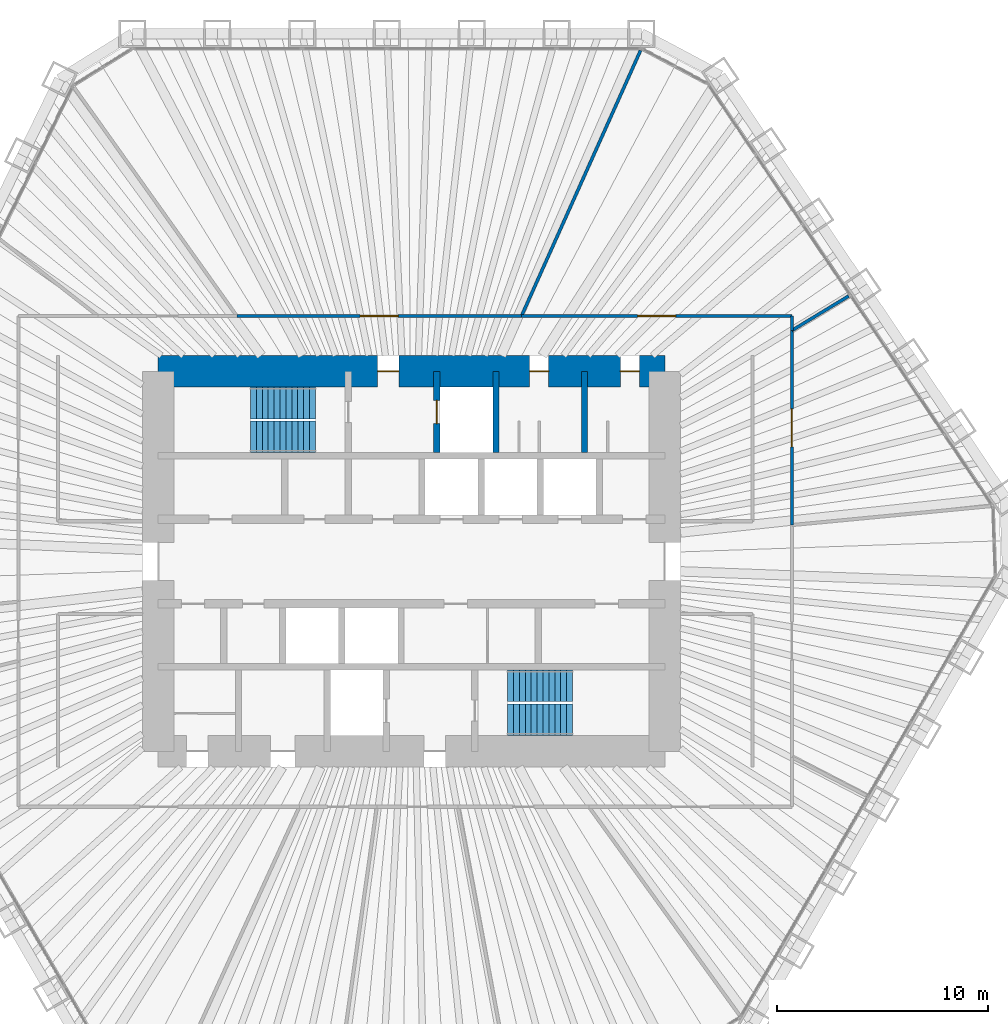
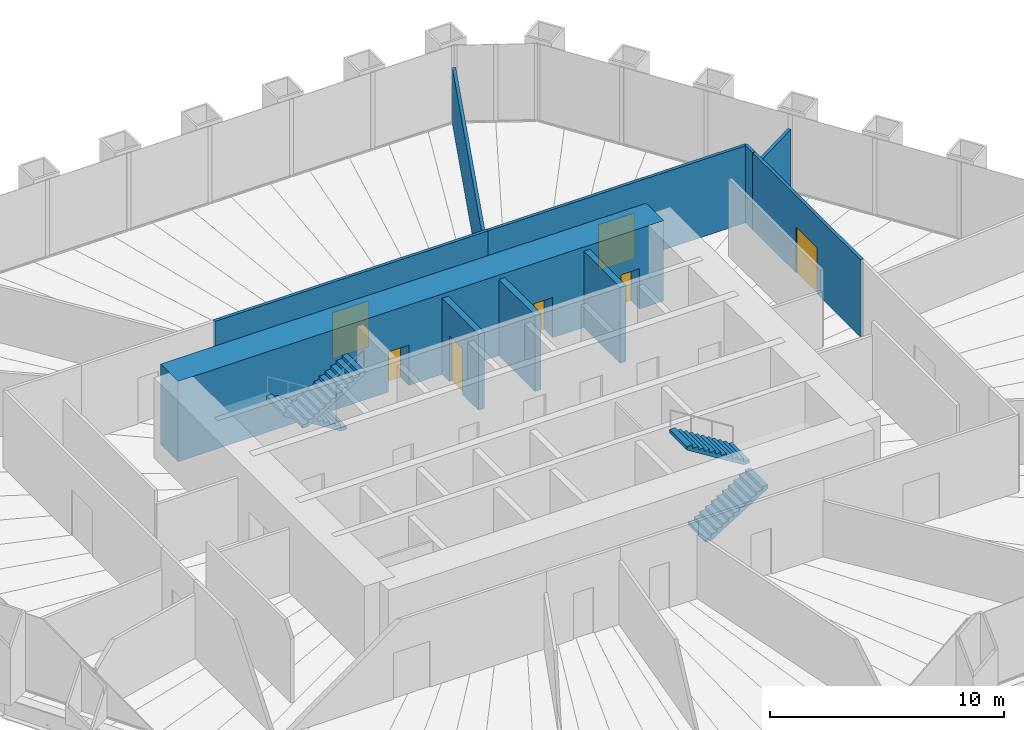
# One storey, part 12 of 13: 10 walls, 7 doors, 4 stair flights, 7 openings, 2 elements without a shape of their own.
"""IFC4 building model written with IfcOpenShell, lengths in metres."""

from ifc_helpers import new_model, si_unit, direction, frame, frame_2d, origin, place, context, subcontext, project, spatial, polyline, rectangle, outline, extrude, material, layer, layer_set, type_object, element, fill, aggregate, save


model = new_model("IFC4")

# Units and contexts
model_context = context("Model", 3, precision=1e-05, world=origin(), true_north=direction((0.0, 1.0)))
body_context = subcontext(model_context, "Body", "Model", "MODEL_VIEW")
ifc_project = project(units=[si_unit("LENGTHUNIT", "METRE"), si_unit("AREAUNIT", "SQUARE_METRE"), si_unit("VOLUMEUNIT", "CUBIC_METRE"), si_unit("PLANEANGLEUNIT", "RADIAN"), si_unit("MASSUNIT", "GRAM", prefix="KILO")], contexts=[model_context])

# Site, building, storey
site_placement = place(None, origin())
site = spatial("IfcSite", under=ifc_project, at=site_placement, CompositionType="ELEMENT")
building_placement = place(site_placement, origin())
building = spatial("IfcBuilding", under=site, at=building_placement, Name="Qingtian Harvest Tower", CompositionType="ELEMENT")
storey_placement = place(building_placement, frame((0.0, 0.0, 119.800048828125)))
storey = spatial("IfcBuildingStorey", under=building, at=storey_placement, Name="L24", CompositionType="ELEMENT", Elevation=119.800048828125)

# Wall, opening, door
ifc_material_1 = material(Name="Precast concrete shaft panel", Category="concrete")
ifc_layer_1 = layer(ifc_material_1, 0.300048828125)
ifc_layer_set_1 = layer_set([ifc_layer_1], Name="Core shaft partition SW1 300")
wall_type_1 = type_object("IfcWallType", Name="Core shaft partition SW1 300", PredefinedType="PARTITIONING", material=ifc_layer_set_1)
wall_1_placement = place(storey_placement, frame((1.199951171875, 5.14990234375, 0.0), z_axis=(0.0, 0.0, 1.0), x_axis=(0.0, 1.0, 0.0)))
wall_1 = element("IfcWall", 1, at=wall_1_placement, inside=storey, type_object=wall_type_1, Name="Core shaft partition XN2 L24", PredefinedType="PARTITIONING", context=body_context, shape_type="SweptSolid", body=[
    extrude(rectangle(XDim=3.85009765625, YDim=0.300048828125, at=frame_2d((1.925048828125, 0.0))), origin(), (0.0, 0.0, 1.0), 3.97998046875),
])
opening_1_placement = place(wall_1_placement, frame((1.375, 0.0, 0.0)))
opening_1 = element("IfcOpeningElement", 2, at=opening_1_placement, cuts=wall_1, Name="Opening LD1", PredefinedType="OPENING", context=body_context, shape_type="SweptSolid", body=[
    extrude(rectangle(XDim=1.10009765625, YDim=2.39990234375, at=frame_2d((0.550048828125, 1.199951171875))), frame((0.0, 0.159912109375, 0.0), z_axis=(0.0, -1.0, 0.0), x_axis=(1.0, 0.0, 0.0)), (0.0, 0.0, 1.0), 0.320068359375),
])
ifc_material_2 = material(Name="Stainless steel lift landing door", Category="steel")
door_type_1 = type_object("IfcDoorType", Name="Lift landing door LD1 1 HR", OperationType="DOUBLE_DOOR_SLIDING", PredefinedType="DOOR", material=ifc_material_2)
door_1_placement = place(opening_1_placement, origin())
door_1 = element("IfcDoor", 3, at=door_1_placement, inside=storey, type_object=door_type_1, Name="FL1 landing door L24", OperationType="DOUBLE_DOOR_SLIDING", OverallHeight=2.39990234375, OverallWidth=1.10009765625, PredefinedType="DOOR", context=body_context, shape_type="SweptSolid", body=[
    extrude(rectangle(XDim=1.10009765625, YDim=2.39990234375, at=frame_2d((0.550048828125, 1.199951171875))), frame((0.0, 0.02490234375, 0.0), z_axis=(0.0, -1.0, 0.0), x_axis=(1.0, 0.0, 0.0)), (0.0, 0.0, 1.0), 0.050048828125),
])
fill(opening_1, door_1)

# Walls
for number, where, z_axis, x_axis, name in (
    (4, (4.0, 5.14990234375, 0.0), (0.0, 0.0, 1.0), (0.0, 1.0, 0.0), "Core shaft partition XN3 L24"),
    (5, (8.199951171875, 5.14990234375, 0.0), (0.0, 0.0, 1.0), (0.0, 1.0, 0.0), "Core shaft partition XN4 L24"),
):
    element("IfcWall", number, at=place(storey_placement, frame(where, z_axis=z_axis, x_axis=x_axis)), inside=storey, type_object=wall_type_1, Name=name, PredefinedType="PARTITIONING", context=body_context, shape_type="SweptSolid", body=[
        extrude(rectangle(XDim=3.85009765625, YDim=0.300048828125, at=frame_2d((1.925048828125, 0.0))), origin(), (0.0, 0.0, 1.0), 3.97998046875),
    ])

# Wall, openings, doors
ifc_material_3 = material(Name="Concrete fc' 70 MPa", Category="concrete")
ifc_layer_2 = layer(ifc_material_3, 1.5)
ifc_layer_set_2 = layer_set([ifc_layer_2], Name="Core wall RC1 1500")
wall_type_2 = type_object("IfcWallType", Name="Core wall RC1 1500", PredefinedType="SHEAR", material=ifc_layer_set_2)
wall_2_placement = place(storey_placement, frame((-12.0, 9.0, 0.0), z_axis=(0.0, 0.0, 1.0), x_axis=(1.0, 0.0, 0.0)))
wall_2 = element("IfcWall", 6, at=wall_2_placement, inside=storey, type_object=wall_type_2, Name="Core wall CN L24", PredefinedType="SHEAR", context=body_context, shape_type="SweptSolid", body=[
    extrude(rectangle(XDim=24.0, YDim=1.5, at=frame_2d((12.0, 0.0))), origin(), (0.0, 0.0, 1.0), 4.199951171875),
])
opening_2_placement = place(wall_2_placement, frame((10.39990234375, 0.0, 0.0)))
opening_2 = element("IfcOpeningElement", 7, at=opening_2_placement, cuts=wall_2, Name="Opening FD1", PredefinedType="OPENING", context=body_context, shape_type="SweptSolid", body=[
    extrude(rectangle(XDim=1.0, YDim=2.10009765625, at=frame_2d((0.5, 1.050048828125))), frame((0.0, 0.760009765625, 0.0), z_axis=(0.0, -1.0, 0.0), x_axis=(1.0, 0.0, 0.0)), (0.0, 0.0, 1.0), 1.52001953125),
])
opening_3_placement = place(wall_2_placement, frame((17.60009765625, 0.0, 0.0)))
opening_3 = element("IfcOpeningElement", 8, at=opening_3_placement, cuts=wall_2, Name="Opening D1", PredefinedType="OPENING", context=body_context, shape_type="SweptSolid", body=[
    extrude(rectangle(XDim=0.89990234375, YDim=2.10009765625, at=frame_2d((0.449951171875, 1.050048828125))), frame((0.0, 0.760009765625, 0.0), z_axis=(0.0, -1.0, 0.0), x_axis=(1.0, 0.0, 0.0)), (0.0, 0.0, 1.0), 1.52001953125),
])
opening_4_placement = place(wall_2_placement, frame((21.89990234375, 0.0, 0.0)))
opening_4 = element("IfcOpeningElement", 9, at=opening_4_placement, cuts=wall_2, Name="Opening D1", PredefinedType="OPENING", context=body_context, shape_type="SweptSolid", body=[
    extrude(rectangle(XDim=0.89990234375, YDim=2.10009765625, at=frame_2d((0.449951171875, 1.050048828125))), frame((0.0, 0.760009765625, 0.0), z_axis=(0.0, -1.0, 0.0), x_axis=(1.0, 0.0, 0.0)), (0.0, 0.0, 1.0), 1.52001953125),
])
ifc_material_4 = material(Name="Steel-faced door leaf", Category="steel")
door_type_2 = type_object("IfcDoorType", Name="Fire door FD1 single 1 HR", OperationType="SINGLE_SWING_LEFT", PredefinedType="DOOR", material=ifc_material_4)
door_2_placement = place(opening_2_placement, origin())
door_2 = element("IfcDoor", 10, at=door_2_placement, inside=storey, type_object=door_type_2, Name="V1 door L24", OperationType="SINGLE_SWING_RIGHT", OverallHeight=2.10009765625, OverallWidth=1.0, PredefinedType="DOOR", context=body_context, shape_type="SweptSolid", body=[
    extrude(rectangle(XDim=1.0, YDim=2.10009765625, at=frame_2d((0.5, 1.050048828125))), frame((0.0, 0.02490234375, 0.0), z_axis=(0.0, -1.0, 0.0), x_axis=(1.0, 0.0, 0.0)), (0.0, 0.0, 1.0), 0.050048828125),
])
fill(opening_2, door_2)
ifc_material_5 = material(Name="Laminated timber door leaf", Category="wood")
door_type_3 = type_object("IfcDoorType", Name="Toilet door D1 single", OperationType="SINGLE_SWING_LEFT", PredefinedType="DOOR", material=ifc_material_5)
door_3_placement = place(opening_3_placement, origin())
door_3 = element("IfcDoor", 11, at=door_3_placement, inside=storey, type_object=door_type_3, Name="WCM door L24", OperationType="SINGLE_SWING_RIGHT", OverallHeight=2.10009765625, OverallWidth=0.89990234375, PredefinedType="DOOR", context=body_context, shape_type="SweptSolid", body=[
    extrude(rectangle(XDim=0.89990234375, YDim=2.10009765625, at=frame_2d((0.449951171875, 1.050048828125))), frame((0.0, 0.02490234375, 0.0), z_axis=(0.0, -1.0, 0.0), x_axis=(1.0, 0.0, 0.0)), (0.0, 0.0, 1.0), 0.050048828125),
])
fill(opening_3, door_3)
door_4_placement = place(opening_4_placement, origin())
door_4 = element("IfcDoor", 12, at=door_4_placement, inside=storey, type_object=door_type_3, Name="WCF door L24", OperationType="SINGLE_SWING_RIGHT", OverallHeight=2.10009765625, OverallWidth=0.89990234375, PredefinedType="DOOR", context=body_context, shape_type="SweptSolid", body=[
    extrude(rectangle(XDim=0.89990234375, YDim=2.10009765625, at=frame_2d((0.449951171875, 1.050048828125))), frame((0.0, 0.02490234375, 0.0), z_axis=(0.0, -1.0, 0.0), x_axis=(1.0, 0.0, 0.0)), (0.0, 0.0, 1.0), 0.050048828125),
])
fill(opening_4, door_4)

# Wall, opening, door
ifc_material_6 = material(Name="Gypsum board on steel studs", Category="steel")
ifc_layer_3 = layer(ifc_material_6, 0.14990234375)
ifc_layer_set_3 = layer_set([ifc_layer_3], Name="Partition PT1 150")
wall_type_3 = type_object("IfcWallType", Name="Partition PT1 150", PredefinedType="PARTITIONING", material=ifc_layer_set_3)
wall_3_placement = place(storey_placement, frame((-8.276611328125, 11.625, 0.0), z_axis=(0.0, 0.0, 1.0), x_axis=(1.0, 0.0, 0.0)))
wall_3 = element("IfcWall", 13, at=wall_3_placement, inside=storey, type_object=wall_type_3, Name="Office suite wall L24", PredefinedType="PARTITIONING", context=body_context, shape_type="SweptSolid", body=[
    extrude(rectangle(XDim=13.487548828125, YDim=0.14990234375, at=frame_2d((6.74365234375, 0.0))), origin(), (0.0, 0.0, 1.0), 4.030029296875),
])
opening_5_placement = place(wall_3_placement, frame((5.84375, 0.0, 0.0)))
opening_5 = element("IfcOpeningElement", 14, at=opening_5_placement, cuts=wall_3, Name="Opening D3", PredefinedType="OPENING", context=body_context, shape_type="SweptSolid", body=[
    extrude(rectangle(XDim=1.800048828125, YDim=2.39990234375, at=frame_2d((0.89990234375, 1.199951171875))), frame((0.0, 0.0849609375, 0.0), z_axis=(0.0, -1.0, 0.0), x_axis=(1.0, 0.0, 0.0)), (0.0, 0.0, 1.0), 0.169921875),
])
ifc_material_7 = material(Name="Laminated timber door leaf", Category="wood")
door_type_4 = type_object("IfcDoorType", Name="Room door D3 double", OperationType="DOUBLE_DOOR_DOUBLE_SWING", PredefinedType="DOOR", material=ifc_material_7)
door_5_placement = place(opening_5_placement, origin())
door_5 = element("IfcDoor", 15, at=door_5_placement, inside=storey, type_object=door_type_4, Name="Office suite door L24", OperationType="DOUBLE_DOOR_DOUBLE_SWING", OverallHeight=2.39990234375, OverallWidth=1.800048828125, PredefinedType="DOOR", context=body_context, shape_type="SweptSolid", body=[
    extrude(rectangle(XDim=1.800048828125, YDim=2.39990234375, at=frame_2d((0.89990234375, 1.199951171875))), frame((0.0, 0.02490234375, 0.0), z_axis=(0.0, -1.0, 0.0), x_axis=(1.0, 0.0, 0.0)), (0.0, 0.0, 1.0), 0.050048828125),
])
fill(opening_5, door_5)

# Wall
wall_4_placement = place(storey_placement, frame((10.851806640625, 24.208740234375, 0.0), z_axis=(0.0, 0.0, 1.0), x_axis=(-0.40904878746, -0.912512514696, 0.0)))
element("IfcWall", 16, at=wall_4_placement, inside=storey, type_object=wall_type_3, Name="Test kitchen wall L24", PredefinedType="PARTITIONING", context=body_context, shape_type="SweptSolid", body=[
    extrude(rectangle(XDim=13.790283203125, YDim=0.14990234375, at=frame_2d((6.89501953125, 0.0))), origin(), (0.0, 0.0, 1.0), 2.929931640625),
])

# Wall, opening, door
wall_5_placement = place(storey_placement, frame((5.2109375, 11.625, 0.0), z_axis=(0.0, 0.0, 1.0), x_axis=(1.0, 0.0, 0.0)))
wall_5 = element("IfcWall", 17, at=wall_5_placement, inside=storey, type_object=wall_type_3, Name="Test kitchen wall L24", PredefinedType="PARTITIONING", context=body_context, shape_type="SweptSolid", body=[
    extrude(rectangle(XDim=12.81396484375, YDim=0.14990234375, at=frame_2d((6.406982421875, 0.0))), origin(), (0.0, 0.0, 1.0), 4.030029296875),
])
opening_6_placement = place(wall_5_placement, frame((5.507080078125, 0.0, 0.0)))
opening_6 = element("IfcOpeningElement", 18, at=opening_6_placement, cuts=wall_5, Name="Opening D3", PredefinedType="OPENING", context=body_context, shape_type="SweptSolid", body=[
    extrude(rectangle(XDim=1.800048828125, YDim=2.39990234375, at=frame_2d((0.89990234375, 1.199951171875))), frame((0.0, 0.0849609375, 0.0), z_axis=(0.0, -1.0, 0.0), x_axis=(1.0, 0.0, 0.0)), (0.0, 0.0, 1.0), 0.169921875),
])
door_6_placement = place(opening_6_placement, origin())
door_6 = element("IfcDoor", 19, at=door_6_placement, inside=storey, type_object=door_type_4, Name="Test kitchen door L24", OperationType="DOUBLE_DOOR_DOUBLE_SWING", OverallHeight=2.39990234375, OverallWidth=1.800048828125, PredefinedType="DOOR", context=body_context, shape_type="SweptSolid", body=[
    extrude(rectangle(XDim=1.800048828125, YDim=2.39990234375, at=frame_2d((0.89990234375, 1.199951171875))), frame((0.0, 0.02490234375, 0.0), z_axis=(0.0, -1.0, 0.0), x_axis=(1.0, 0.0, 0.0)), (0.0, 0.0, 1.0), 0.050048828125),
])
fill(opening_6, door_6)

# Walls
wall_6_placement = place(storey_placement, frame((18.02490234375, 11.625, 0.0), z_axis=(0.0, 0.0, 1.0), x_axis=(0.0, -1.0, 0.0)))
element("IfcWall", 20, at=wall_6_placement, inside=storey, type_object=wall_type_3, Name="Test kitchen wall L24", PredefinedType="PARTITIONING", context=body_context, shape_type="SweptSolid", body=[
    extrude(rectangle(XDim=0.684326171875, YDim=0.14990234375, at=frame_2d((0.34228515625, 0.0))), origin(), (0.0, 0.0, 1.0), 4.030029296875),
])
wall_7_placement = place(storey_placement, frame((20.71142578125, 12.571044921875, 0.0), z_axis=(0.0, 0.0, 1.0), x_axis=(-0.854890890653, -0.518807830587, 0.0)))
element("IfcWall", 21, at=wall_7_placement, inside=storey, type_object=wall_type_3, Name="Meeting room wall L24", PredefinedType="PARTITIONING", context=body_context, shape_type="SweptSolid", body=[
    extrude(rectangle(XDim=3.142578125, YDim=0.14990234375, at=frame_2d((1.5712890625, 0.0))), origin(), (0.0, 0.0, 1.0), 3.329833984375),
])

# Wall, opening, door
wall_8_placement = place(storey_placement, frame((18.02490234375, 10.940673828125, 0.0), z_axis=(0.0, 0.0, 1.0), x_axis=(0.0, -1.0, 0.0)))
wall_8 = element("IfcWall", 22, at=wall_8_placement, inside=storey, type_object=wall_type_3, Name="Meeting room wall L24", PredefinedType="PARTITIONING", context=body_context, shape_type="SweptSolid", body=[
    extrude(rectangle(XDim=9.22119140625, YDim=0.14990234375, at=frame_2d((4.610595703125, 0.0))), origin(), (0.0, 0.0, 1.0), 4.030029296875),
])
opening_7_placement = place(wall_8_placement, frame((3.71044921875, 0.0, 0.0)))
opening_7 = element("IfcOpeningElement", 23, at=opening_7_placement, cuts=wall_8, Name="Opening D3", PredefinedType="OPENING", context=body_context, shape_type="SweptSolid", body=[
    extrude(rectangle(XDim=1.800048828125, YDim=2.39990234375, at=frame_2d((0.89990234375, 1.199951171875))), frame((0.0, 0.0849609375, 0.0), z_axis=(0.0, -1.0, 0.0), x_axis=(1.0, 0.0, 0.0)), (0.0, 0.0, 1.0), 0.169921875),
])
door_7_placement = place(opening_7_placement, origin())
door_7 = element("IfcDoor", 24, at=door_7_placement, inside=storey, type_object=door_type_4, Name="Meeting room door L24", OperationType="DOUBLE_DOOR_DOUBLE_SWING", OverallHeight=2.39990234375, OverallWidth=1.800048828125, PredefinedType="DOOR", context=body_context, shape_type="SweptSolid", body=[
    extrude(rectangle(XDim=1.800048828125, YDim=2.39990234375, at=frame_2d((0.89990234375, 1.199951171875))), frame((0.0, 0.02490234375, 0.0), z_axis=(0.0, -1.0, 0.0), x_axis=(1.0, 0.0, 0.0)), (0.0, 0.0, 1.0), 0.050048828125),
])
fill(opening_7, door_7)

# Stair, stair flights
ifc_material_8 = material(Name="Concrete fc' 35 MPa", Category="concrete")
stair_type = type_object("IfcStairType", Name="Special stair ST3 4200", PredefinedType="HALF_TURN_STAIR", material=ifc_material_8)
stair_1_placement = place(storey_placement, origin())
stair_1 = element("IfcStair", 25, at=stair_1_placement, inside=storey, type_object=stair_type, Name="Special stair S1 L24", PredefinedType="HALF_TURN_STAIR")
ifc_material_9 = material(Name="Concrete fc' 35 MPa", Category="concrete")
stair_flight_type = type_object("IfcStairFlightType", Name="Stair flight SF3 4200", PredefinedType="STRAIGHT", material=ifc_material_9)
stair_flight_1_placement = place(storey_placement, frame((-4.550048828125, 7.5, 0.0), z_axis=(0.0, 0.0, 1.0), x_axis=(-1.0, 0.0, 0.0)))
stair_flight_1 = element("IfcStairFlight", 26, at=stair_flight_1_placement, type_object=stair_flight_type, Name="S1 flight 1", NumberOfRisers=12, NumberOfTreads=11, PredefinedType="STRAIGHT", RiserHeight=0.175, TreadLength=0.28, context=body_context, shape_type="SweptSolid", body=[
    extrude(outline(polyline([(0.0, 0.0), (0.0, 0.175048828125), (0.280029296875, 0.175048828125), (0.280029296875, 0.35009765625), (0.56005859375, 0.35009765625), (0.56005859375, 0.52490234375), (0.840087890625, 0.52490234375), (0.840087890625, 0.699951171875), (1.1201171875, 0.699951171875), (1.1201171875, 0.875), (1.39990234375, 0.875), (1.39990234375, 1.050048828125), (1.679931640625, 1.050048828125), (1.679931640625, 1.22509765625), (1.9599609375, 1.22509765625), (1.9599609375, 1.39990234375), (2.239990234375, 1.39990234375), (2.239990234375, 1.574951171875), (2.52001953125, 1.574951171875), (2.52001953125, 1.75), (2.800048828125, 1.75), (2.800048828125, 1.925048828125), (3.080078125, 1.925048828125), (3.080078125, 2.10009765625), (3.080078125, 1.748291015625), (0.28271484375, 0.0), (0.0, 0.0)])), frame((0.0, 0.75, 0.0), z_axis=(0.0, -1.0, 0.0), x_axis=(1.0, 0.0, 0.0)), (0.0, 0.0, 1.0), 1.5),
])
stair_flight_2_placement = place(storey_placement, frame((-7.6298828125, 5.89990234375, 2.099853515625), z_axis=(0.0, 0.0, 1.0), x_axis=(1.0, 0.0, 0.0)))
stair_flight_2 = element("IfcStairFlight", 27, at=stair_flight_2_placement, type_object=stair_flight_type, Name="S1 flight 2", NumberOfRisers=12, NumberOfTreads=11, PredefinedType="STRAIGHT", RiserHeight=0.175, TreadLength=0.28, context=body_context, shape_type="SweptSolid", body=[
    extrude(outline(polyline([(0.0, 0.0), (0.0, 0.175048828125), (0.280029296875, 0.175048828125), (0.280029296875, 0.35009765625), (0.56005859375, 0.35009765625), (0.56005859375, 0.52490234375), (0.840087890625, 0.52490234375), (0.840087890625, 0.699951171875), (1.1201171875, 0.699951171875), (1.1201171875, 0.875), (1.39990234375, 0.875), (1.39990234375, 1.050048828125), (1.679931640625, 1.050048828125), (1.679931640625, 1.22509765625), (1.9599609375, 1.22509765625), (1.9599609375, 1.39990234375), (2.239990234375, 1.39990234375), (2.239990234375, 1.574951171875), (2.52001953125, 1.574951171875), (2.52001953125, 1.75), (2.800048828125, 1.75), (2.800048828125, 1.925048828125), (3.080078125, 1.925048828125), (3.080078125, 2.10009765625), (3.080078125, 1.748291015625), (0.28271484375, 0.0), (0.0, 0.0)])), frame((0.0, 0.75, 0.0), z_axis=(0.0, -1.0, 0.0), x_axis=(1.0, 0.0, 0.0)), (0.0, 0.0, 1.0), 1.5),
])
aggregate(stair_1, [stair_flight_1, stair_flight_2])

stair_2_placement = place(storey_placement, origin())
stair_2 = element("IfcStair", 28, at=stair_2_placement, inside=storey, type_object=stair_type, Name="Special stair S2 L24", PredefinedType="HALF_TURN_STAIR")
stair_flight_3_placement = place(storey_placement, frame((4.550048828125, -7.5, 0.0), z_axis=(0.0, 0.0, 1.0), x_axis=(1.0, 0.0, 0.0)))
stair_flight_3 = element("IfcStairFlight", 29, at=stair_flight_3_placement, type_object=stair_flight_type, Name="S2 flight 1", NumberOfRisers=12, NumberOfTreads=11, PredefinedType="STRAIGHT", RiserHeight=0.175, TreadLength=0.28, context=body_context, shape_type="SweptSolid", body=[
    extrude(outline(polyline([(0.0, 0.0), (0.0, 0.175048828125), (0.280029296875, 0.175048828125), (0.280029296875, 0.35009765625), (0.56005859375, 0.35009765625), (0.56005859375, 0.52490234375), (0.840087890625, 0.52490234375), (0.840087890625, 0.699951171875), (1.1201171875, 0.699951171875), (1.1201171875, 0.875), (1.39990234375, 0.875), (1.39990234375, 1.050048828125), (1.679931640625, 1.050048828125), (1.679931640625, 1.22509765625), (1.9599609375, 1.22509765625), (1.9599609375, 1.39990234375), (2.239990234375, 1.39990234375), (2.239990234375, 1.574951171875), (2.52001953125, 1.574951171875), (2.52001953125, 1.75), (2.800048828125, 1.75), (2.800048828125, 1.925048828125), (3.080078125, 1.925048828125), (3.080078125, 2.10009765625), (3.080078125, 1.748291015625), (0.28271484375, 0.0), (0.0, 0.0)])), frame((0.0, 0.75, 0.0), z_axis=(0.0, -1.0, 0.0), x_axis=(1.0, 0.0, 0.0)), (0.0, 0.0, 1.0), 1.5),
])
stair_flight_4_placement = place(storey_placement, frame((7.6298828125, -5.89990234375, 2.099853515625), z_axis=(0.0, 0.0, 1.0), x_axis=(-1.0, 0.0, 0.0)))
stair_flight_4 = element("IfcStairFlight", 30, at=stair_flight_4_placement, type_object=stair_flight_type, Name="S2 flight 2", NumberOfRisers=12, NumberOfTreads=11, PredefinedType="STRAIGHT", RiserHeight=0.175, TreadLength=0.28, context=body_context, shape_type="SweptSolid", body=[
    extrude(outline(polyline([(0.0, 0.0), (0.0, 0.175048828125), (0.280029296875, 0.175048828125), (0.280029296875, 0.35009765625), (0.56005859375, 0.35009765625), (0.56005859375, 0.52490234375), (0.840087890625, 0.52490234375), (0.840087890625, 0.699951171875), (1.1201171875, 0.699951171875), (1.1201171875, 0.875), (1.39990234375, 0.875), (1.39990234375, 1.050048828125), (1.679931640625, 1.050048828125), (1.679931640625, 1.22509765625), (1.9599609375, 1.22509765625), (1.9599609375, 1.39990234375), (2.239990234375, 1.39990234375), (2.239990234375, 1.574951171875), (2.52001953125, 1.574951171875), (2.52001953125, 1.75), (2.800048828125, 1.75), (2.800048828125, 1.925048828125), (3.080078125, 1.925048828125), (3.080078125, 2.10009765625), (3.080078125, 1.748291015625), (0.28271484375, 0.0), (0.0, 0.0)])), frame((0.0, 0.75, 0.0), z_axis=(0.0, -1.0, 0.0), x_axis=(1.0, 0.0, 0.0)), (0.0, 0.0, 1.0), 1.5),
])
aggregate(stair_2, [stair_flight_3, stair_flight_4])

save(model, "model.ifc")
